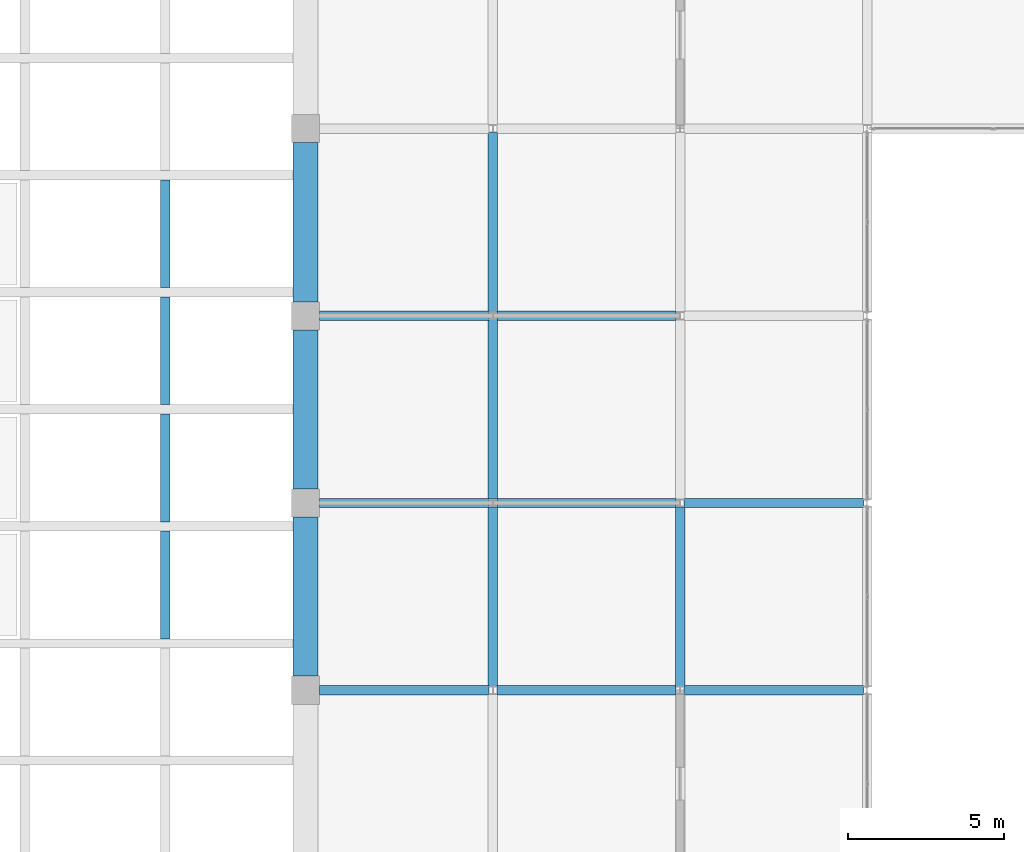
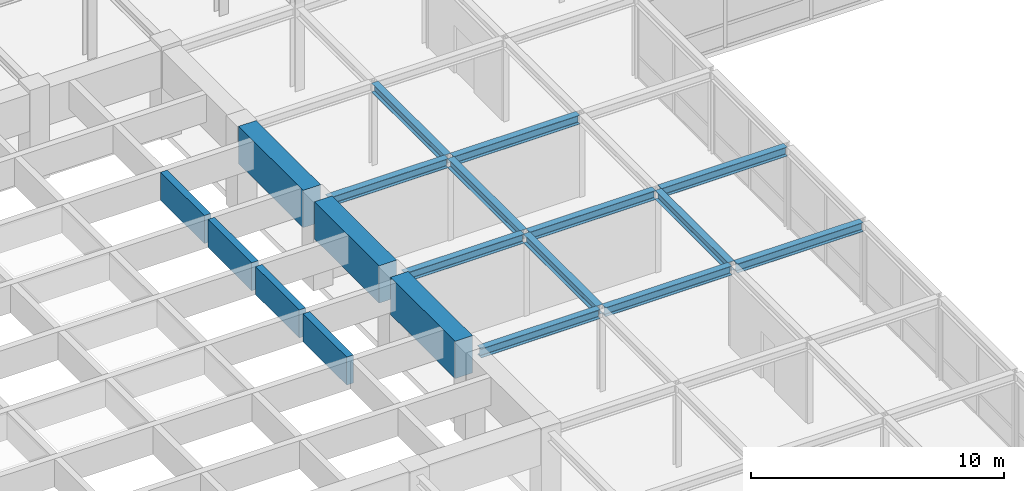
# One storey, part 67 of 111: 19 beams.
"""IFC4 building model written with IfcOpenShell, lengths in metres."""

from ifc_helpers import new_model, si_unit, direction, frame, origin, origin_2d, place, context, subcontext, project, spatial, rectangle, i_section, extrude, material, material_profile, profile_set, type_object, element, save


model = new_model("IFC4")

# Units and contexts
model_context = context("Model", 3, precision=1e-05, world=origin(), true_north=direction((0.0, 1.0)))
body_context = subcontext(model_context, "Body", "Model", "MODEL_VIEW")
ifc_project = project(units=[si_unit("LENGTHUNIT", "METRE"), si_unit("AREAUNIT", "SQUARE_METRE"), si_unit("VOLUMEUNIT", "CUBIC_METRE"), si_unit("PLANEANGLEUNIT", "RADIAN"), si_unit("MASSUNIT", "GRAM", prefix="KILO")], contexts=[model_context])

# Site, building, storey
site_placement = place(None, origin())
site = spatial("IfcSite", under=ifc_project, at=site_placement, CompositionType="ELEMENT")
building_placement = place(site_placement, origin())
building = spatial("IfcBuilding", under=site, at=building_placement, Name="Zlatovratsky Civic Hall", CompositionType="ELEMENT")
storey_placement = place(building_placement, frame((0.0, 0.0, 16.5)))
storey = spatial("IfcBuildingStorey", under=building, at=storey_placement, Name="L04", CompositionType="ELEMENT", Elevation=16.5)

# Beams
ifc_material_1 = material(Name="Concrete C35/45 (B40)", Category="concrete")
ifc_material_profile_1 = material_profile(ifc_material_1, rectangle(XDim=0.300048828125, YDim=1.35009765625, at=origin_2d()), Name="RC 300x1350")
ifc_profile_set_1 = profile_set([ifc_material_profile_1], Name="Concrete C35/45 (B40)")
beam_type_1 = type_object("IfcBeamType", Name="Beam_ChamberCofferRib_RC300x1350", PredefinedType="BEAM", material=ifc_profile_set_1)
for number, where, z_axis, x_axis, name in (
    (1, (97.5, 49.64990234375, 3.625), (0.0, 1.0, 0.0), (-1.0, 0.0, 0.0), "BM-5388"),
    (2, (97.5, 53.39990234375, 3.625), (0.0, 1.0, 0.0), (-1.0, 0.0, 0.0), "BM-5389"),
    (3, (97.5, 57.14990234375, 3.625), (0.0, 1.0, 0.0), (-1.0, 0.0, 0.0), "BM-5390"),
    (4, (97.5, 60.89990234375, 3.625), (0.0, 1.0, 0.0), (-1.0, 0.0, 0.0), "BM-5391"),
):
    element("IfcBeam", number, at=place(storey_placement, frame(where, z_axis=z_axis, x_axis=x_axis)), inside=storey, type_object=beam_type_1, Name=name, PredefinedType="BEAM", context=body_context, shape_type="SweptSolid", body=[
        extrude(rectangle(XDim=0.300048828125, YDim=1.35009765625, at=origin_2d()), origin(), (0.0, 0.0, 1.0), 3.4501953125),
    ])
ifc_material_profile_2 = material_profile(ifc_material_1, rectangle(XDim=0.800048828125, YDim=1.800048828125, at=origin_2d()), Name="RC 800x1800")
ifc_profile_set_2 = profile_set([ifc_material_profile_2], Name="Concrete C35/45 (B40)")
beam_type_2 = type_object("IfcBeamType", Name="Beam_ChamberRing_RC800x1800", PredefinedType="BEAM", material=ifc_profile_set_2)
for number, where, z_axis, x_axis, name in (
    (5, (102.0, 48.449951171875, 3.39990234375), (0.0, 1.0, 0.0), (-1.0, 0.0, 0.0), "BM-5327"),
    (6, (102.0, 54.449951171875, 3.39990234375), (0.0, 1.0, 0.0), (-1.0, 0.0, 0.0), "BM-5328"),
    (7, (102.0, 60.449951171875, 3.39990234375), (0.0, 1.0, 0.0), (-1.0, 0.0, 0.0), "BM-5329"),
):
    element("IfcBeam", number, at=place(storey_placement, frame(where, z_axis=z_axis, x_axis=x_axis)), inside=storey, type_object=beam_type_2, Name=name, PredefinedType="BEAM", context=body_context, shape_type="SweptSolid", body=[
        extrude(rectangle(XDim=0.800048828125, YDim=1.800048828125, at=origin_2d()), origin(), (0.0, 0.0, 1.0), 5.10009765625),
    ])
ifc_material_2 = material(Name="Steel S355", Category="steel")
ifc_material_profile_3 = material_profile(ifc_material_2, i_section(OverallWidth=0.300048828125, OverallDepth=0.43994140625, WebThickness=0.010986328125, FlangeThickness=0.01806640625, FilletRadius=0.02197265625, at=origin_2d()), Name="45Sh1")
ifc_profile_set_3 = profile_set([ifc_material_profile_3], Name="Steel S355")
beam_type_3 = type_object("IfcBeamType", Name="Beam_TowerLow_45Sh1", PredefinedType="BEAM", material=ifc_profile_set_3)
beam_1_placement = place(storey_placement, frame((102.449951171875, 48.0, 3.780029296875), z_axis=(1.0, 0.0, 0.0), x_axis=(0.0, 1.0, 0.0)))
element("IfcBeam", 8, at=beam_1_placement, inside=storey, type_object=beam_type_3, Name="BM-3305", PredefinedType="BEAM", context=body_context, shape_type="SweptSolid", body=[
    extrude(i_section(OverallWidth=0.300048828125, OverallDepth=0.43994140625, WebThickness=0.010986328125, FlangeThickness=0.01806640625, FilletRadius=0.02197265625, at=origin_2d()), origin(), (0.0, 0.0, 1.0), 5.425048828125),
])
for number, where, z_axis, x_axis, name in (
    (9, (108.125, 48.0, 3.780029296875), (1.0, 0.0, 0.0), (0.0, 1.0, 0.0), "BM-3306"),
    (10, (114.125, 48.0, 3.780029296875), (1.0, 0.0, 0.0), (0.0, 1.0, 0.0), "BM-3307"),
):
    element("IfcBeam", number, at=place(storey_placement, frame(where, z_axis=z_axis, x_axis=x_axis)), inside=storey, type_object=beam_type_3, Name=name, PredefinedType="BEAM", context=body_context, shape_type="SweptSolid", body=[
        extrude(i_section(OverallWidth=0.300048828125, OverallDepth=0.43994140625, WebThickness=0.010986328125, FlangeThickness=0.01806640625, FilletRadius=0.02197265625, at=origin_2d()), origin(), (0.0, 0.0, 1.0), 5.75),
    ])
beam_2_placement = place(storey_placement, frame((102.449951171875, 54.0, 3.780029296875), z_axis=(1.0, 0.0, 0.0), x_axis=(0.0, 1.0, 0.0)))
element("IfcBeam", 11, at=beam_2_placement, inside=storey, type_object=beam_type_3, Name="BM-3315", PredefinedType="BEAM", context=body_context, shape_type="SweptSolid", body=[
    extrude(i_section(OverallWidth=0.300048828125, OverallDepth=0.43994140625, WebThickness=0.010986328125, FlangeThickness=0.01806640625, FilletRadius=0.02197265625, at=origin_2d()), origin(), (0.0, 0.0, 1.0), 5.425048828125),
])
for number, where, z_axis, x_axis, name in (
    (12, (108.125, 54.0, 3.780029296875), (1.0, 0.0, 0.0), (0.0, 1.0, 0.0), "BM-3316"),
    (13, (114.125, 54.0, 3.780029296875), (1.0, 0.0, 0.0), (0.0, 1.0, 0.0), "BM-3317"),
):
    element("IfcBeam", number, at=place(storey_placement, frame(where, z_axis=z_axis, x_axis=x_axis)), inside=storey, type_object=beam_type_3, Name=name, PredefinedType="BEAM", context=body_context, shape_type="SweptSolid", body=[
        extrude(i_section(OverallWidth=0.300048828125, OverallDepth=0.43994140625, WebThickness=0.010986328125, FlangeThickness=0.01806640625, FilletRadius=0.02197265625, at=origin_2d()), origin(), (0.0, 0.0, 1.0), 5.75),
    ])
beam_3_placement = place(storey_placement, frame((102.449951171875, 60.0, 3.780029296875), z_axis=(1.0, 0.0, 0.0), x_axis=(0.0, 1.0, 0.0)))
element("IfcBeam", 14, at=beam_3_placement, inside=storey, type_object=beam_type_3, Name="BM-3325", PredefinedType="BEAM", context=body_context, shape_type="SweptSolid", body=[
    extrude(i_section(OverallWidth=0.300048828125, OverallDepth=0.43994140625, WebThickness=0.010986328125, FlangeThickness=0.01806640625, FilletRadius=0.02197265625, at=origin_2d()), origin(), (0.0, 0.0, 1.0), 5.425048828125),
])
for number, where, z_axis, x_axis, name in (
    (15, (108.125, 60.0, 3.780029296875), (1.0, 0.0, 0.0), (0.0, 1.0, 0.0), "BM-3326"),
    (16, (108.0, 48.125, 3.780029296875), (0.0, 1.0, 0.0), (-1.0, 0.0, 0.0), "BM-3711"),
    (17, (108.0, 54.125, 3.780029296875), (0.0, 1.0, 0.0), (-1.0, 0.0, 0.0), "BM-3712"),
    (18, (108.0, 60.125, 3.780029296875), (0.0, 1.0, 0.0), (-1.0, 0.0, 0.0), "BM-3713"),
    (19, (114.0, 48.125, 3.780029296875), (0.0, 1.0, 0.0), (-1.0, 0.0, 0.0), "BM-3728"),
):
    element("IfcBeam", number, at=place(storey_placement, frame(where, z_axis=z_axis, x_axis=x_axis)), inside=storey, type_object=beam_type_3, Name=name, PredefinedType="BEAM", context=body_context, shape_type="SweptSolid", body=[
        extrude(i_section(OverallWidth=0.300048828125, OverallDepth=0.43994140625, WebThickness=0.010986328125, FlangeThickness=0.01806640625, FilletRadius=0.02197265625, at=origin_2d()), origin(), (0.0, 0.0, 1.0), 5.75),
    ])

save(model, "model.ifc")
